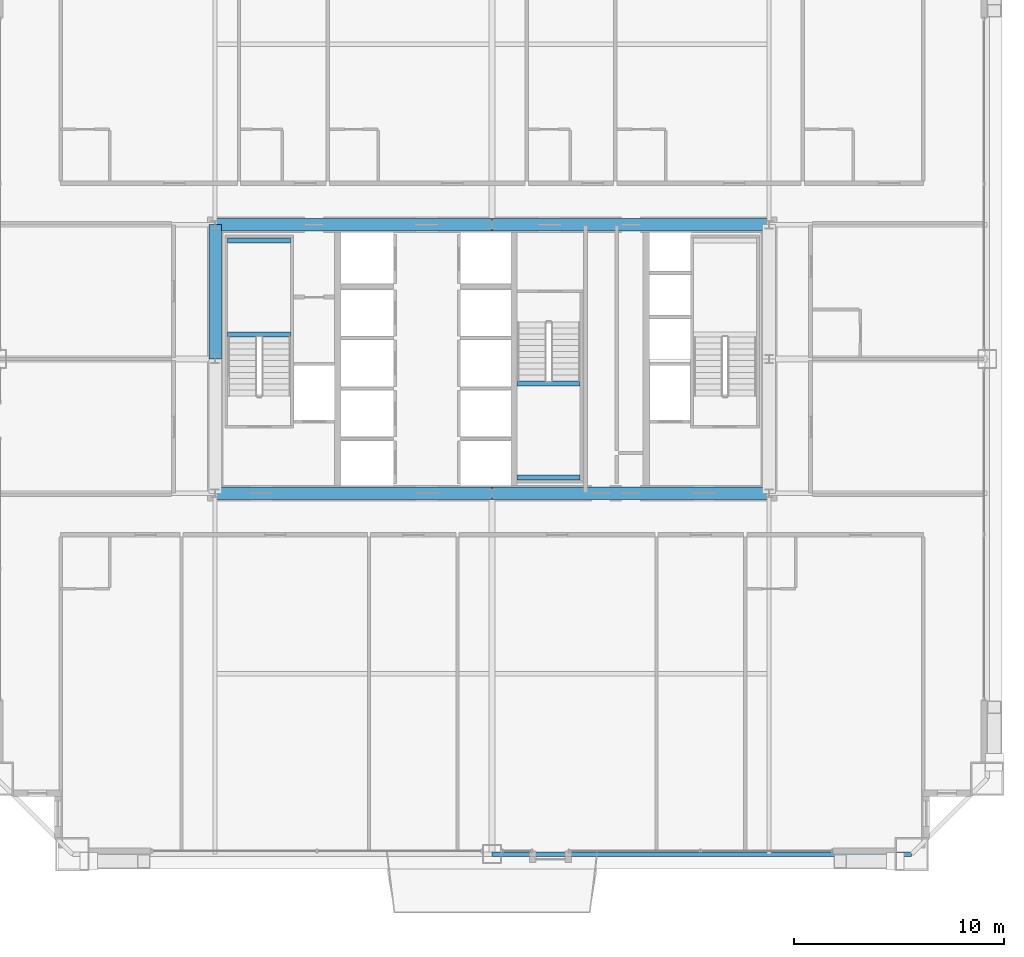
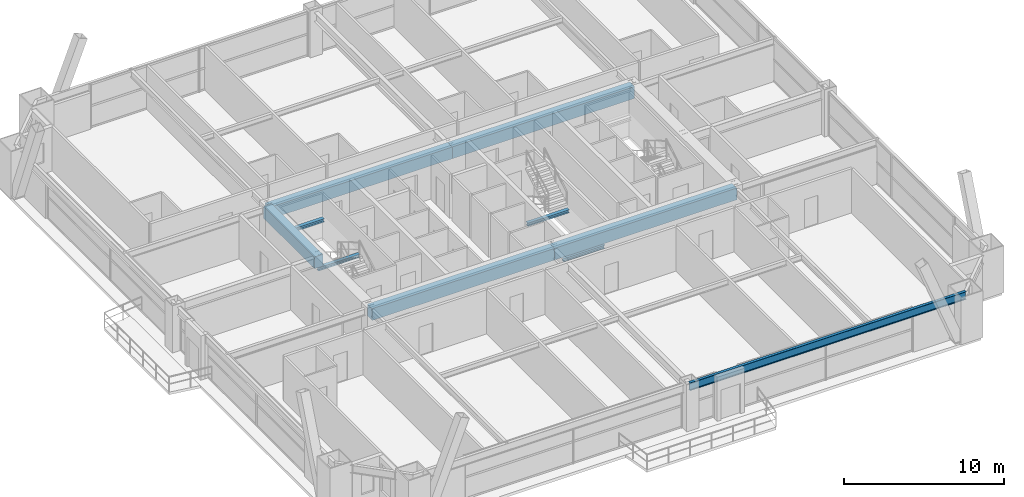
# One storey, part 14 of 42: 10 beams.
"""IFC4 building model written with IfcOpenShell, lengths in metres."""

from ifc_helpers import new_model, si_unit, direction, frame, origin, origin_2d, place, context, subcontext, project, spatial, rectangle, i_section, extrude, source, transform, mapped, material, material_profile, profile_set, type_object, element, save


model = new_model("IFC4")

# Units and contexts
model_context = context("Model", 3, precision=1e-05, world=origin(), true_north=direction((0.0, 1.0)))
body_context = subcontext(model_context, "Body", "Model", "MODEL_VIEW")
ifc_project = project(units=[si_unit("LENGTHUNIT", "METRE"), si_unit("AREAUNIT", "SQUARE_METRE"), si_unit("VOLUMEUNIT", "CUBIC_METRE"), si_unit("PLANEANGLEUNIT", "RADIAN"), si_unit("MASSUNIT", "GRAM", prefix="KILO"), si_unit("THERMODYNAMICTEMPERATUREUNIT", "KELVIN"), si_unit("POWERUNIT", "WATT")], contexts=[model_context])

# Site, building, storey
site_placement = place(None, origin())
site = spatial("IfcSite", under=ifc_project, at=site_placement, CompositionType="ELEMENT")
building_placement = place(site_placement, origin())
building = spatial("IfcBuilding", under=site, at=building_placement, Name="Yuzanri Waterfront Tower", CompositionType="ELEMENT")
storey_placement = place(building_placement, frame((0.0, 0.0, 145.199951171875)))
storey = spatial("IfcBuildingStorey", under=building, at=storey_placement, Name="L38", CompositionType="ELEMENT", Elevation=145.199951171875)

# Beams
ifc_material_1 = material(Name="Concrete C60", Category="concrete")
ifc_material_profile_1 = material_profile(ifc_material_1, rectangle(XDim=0.60009765625, YDim=0.89990234375, at=origin_2d()), Name="RC 600x900")
ifc_profile_set_1 = profile_set([ifc_material_profile_1], Name="Concrete C60")
beam_type_1 = type_object("IfcBeamType", Name="Core Coupling Lintel Concrete C60 600x900", PredefinedType="LINTEL", material=ifc_profile_set_1)
shared_shape_1 = source(origin(), body_context, "Body", "SweptSolid", [
    extrude(rectangle(XDim=0.60009765625, YDim=0.89990234375, at=origin_2d()), origin(), (0.0, 0.0, 1.0), 13.199951171875),
])
for number, where, z_axis, x_axis, name in (
    (1, (23.800048828125, 19.39990234375, 2.929931640625), (1.0, 0.0, 0.0), (0.0, 1.0, 0.0), "L38 Core Tie Beam CS1"),
    (2, (37.0, 19.39990234375, 2.929931640625), (1.0, 0.0, 0.0), (0.0, 1.0, 0.0), "L38 Core Tie Beam CS2"),
    (3, (23.800048828125, 32.199951171875, 2.929931640625), (1.0, 0.0, 0.0), (0.0, 1.0, 0.0), "L38 Core Tie Beam CN1"),
    (4, (37.0, 32.199951171875, 2.929931640625), (1.0, 0.0, 0.0), (0.0, 1.0, 0.0), "L38 Core Tie Beam CN2"),
):
    element("IfcBeam", number, at=place(storey_placement, frame(where, z_axis=z_axis, x_axis=x_axis)), inside=storey, type_object=beam_type_1, Name=name, PredefinedType="LINTEL", context=body_context, shape_type="MappedRepresentation", body=[
        mapped(shared_shape_1, transform((0.0, 0.0, 0.0), scale=1.0)),
    ])
shared_shape_2 = source(origin(), body_context, "Body", "SweptSolid", [
    extrude(rectangle(XDim=0.60009765625, YDim=0.89990234375, at=origin_2d()), origin(), (0.0, 0.0, 1.0), 6.39990234375),
])
beam_1_placement = place(storey_placement, frame((23.800048828125, 25.800048828125, 2.929931640625), z_axis=(0.0, 1.0, 0.0), x_axis=(-1.0, 0.0, 0.0)))
element("IfcBeam", 5, at=beam_1_placement, inside=storey, type_object=beam_type_1, Name="L38 Core Tie Beam CW2", PredefinedType="LINTEL", context=body_context, shape_type="MappedRepresentation", body=[
    mapped(shared_shape_2, transform((0.0, 0.0, 0.0), scale=1.0)),
])
ifc_material_2 = material(Name="Steel Q355B", Category="steel")
ifc_material_profile_2 = material_profile(ifc_material_2, i_section(OverallWidth=0.199951171875, OverallDepth=0.60009765625, WebThickness=0.010986328125, FlangeThickness=0.01708984375, at=origin_2d()), Name="HN 600x200x11x17")
ifc_profile_set_2 = profile_set([ifc_material_profile_2], Name="Steel Q355B")
beam_type_2 = type_object("IfcBeamType", Name="Perimeter Spandrel Q355B HN 600x200", PredefinedType="SPANDREL", material=ifc_profile_set_2)
shared_shape_3 = source(origin(), body_context, "Body", "SweptSolid", [
    extrude(i_section(OverallWidth=0.199951171875, OverallDepth=0.60009765625, WebThickness=0.010986328125, FlangeThickness=0.01708984375, at=origin_2d()), origin(), (0.0, 0.0, 1.0), 20.0),
])
beam_2_placement = place(storey_placement, frame((37.0, 2.199951171875, 3.080078125), z_axis=(1.0, 0.0, 0.0), x_axis=(0.0, 1.0, 0.0)))
element("IfcBeam", 6, at=beam_2_placement, inside=storey, type_object=beam_type_2, Name="L38 Perimeter Spandrel S2-S3", PredefinedType="SPANDREL", context=body_context, shape_type="MappedRepresentation", body=[
    mapped(shared_shape_3, transform((0.0, 0.0, 0.0), scale=1.0)),
])
ifc_material_3 = material(Name="Steel Q355B", Category="steel")
ifc_material_profile_3 = material_profile(ifc_material_3, i_section(OverallWidth=0.25, OverallDepth=0.25, WebThickness=0.009033203125, FlangeThickness=0.013916015625, at=origin_2d()), Name="HW 250x250x9x14")
ifc_profile_set_3 = profile_set([ifc_material_profile_3], Name="Steel Q355B")
beam_type_3 = type_object("IfcBeamType", Name="Stair Landing Support Beam Q355B HW 250x250", PredefinedType="BEAM", material=ifc_profile_set_3)
shared_shape_4 = source(origin(), body_context, "Body", "SweptSolid", [
    extrude(i_section(OverallWidth=0.25, OverallDepth=0.25, WebThickness=0.009033203125, FlangeThickness=0.013916015625, at=origin_2d()), origin(), (0.0, 0.0, 1.0), 3.0),
])
for number, where, z_axis, x_axis, name in (
    (7, (24.39990234375, 26.969970703125, 1.47509765625), (1.0, 0.0, 0.0), (0.0, 1.0, 0.0), "L38 Stair Landing Support Beam ST-01-L38-L1-1"),
    (8, (24.39990234375, 31.449951171875, 1.47509765625), (1.0, 0.0, 0.0), (0.0, 1.0, 0.0), "L38 Stair Landing Support Beam ST-01-L38-L1-2"),
    (9, (38.199951171875, 20.14990234375, 1.47509765625), (1.0, 0.0, 0.0), (0.0, 1.0, 0.0), "L38 Stair Landing Support Beam ST-03-L38-L1-1"),
    (10, (38.199951171875, 24.6298828125, 1.47509765625), (1.0, 0.0, 0.0), (0.0, 1.0, 0.0), "L38 Stair Landing Support Beam ST-03-L38-L1-2"),
):
    element("IfcBeam", number, at=place(storey_placement, frame(where, z_axis=z_axis, x_axis=x_axis)), inside=storey, type_object=beam_type_3, Name=name, PredefinedType="BEAM", context=body_context, shape_type="MappedRepresentation", body=[
        mapped(shared_shape_4, transform((0.0, 0.0, 0.0), scale=1.0)),
    ])

save(model, "model.ifc")
